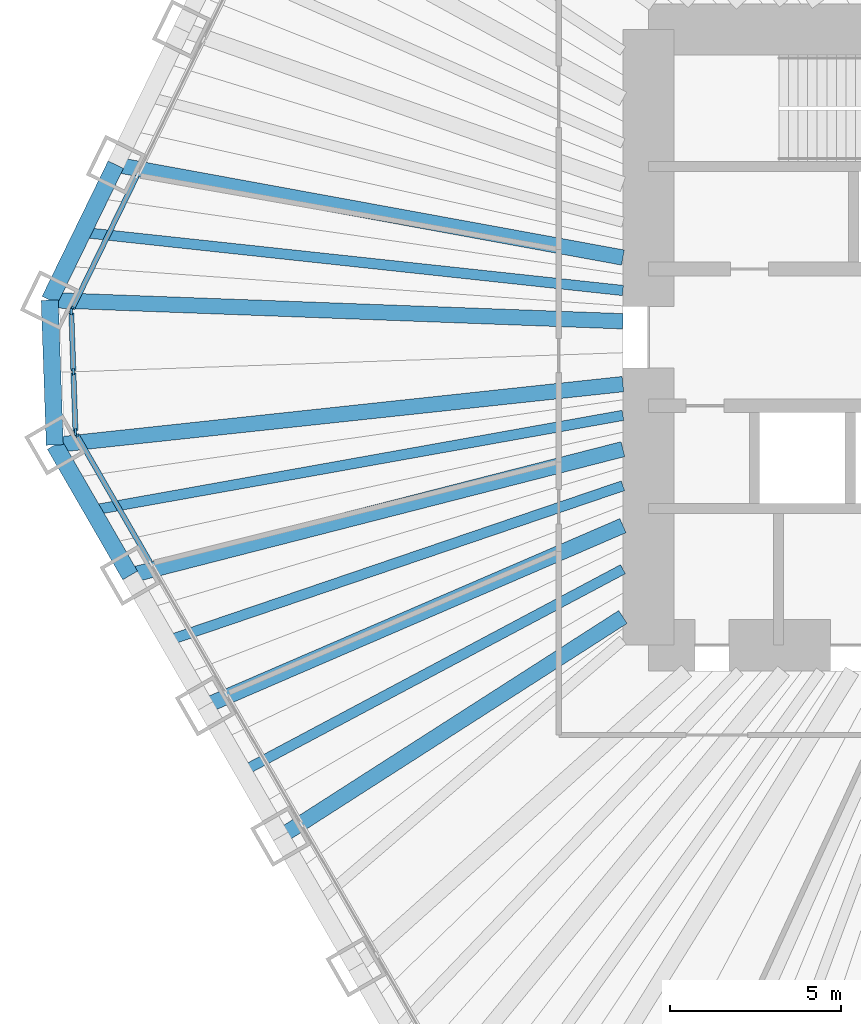
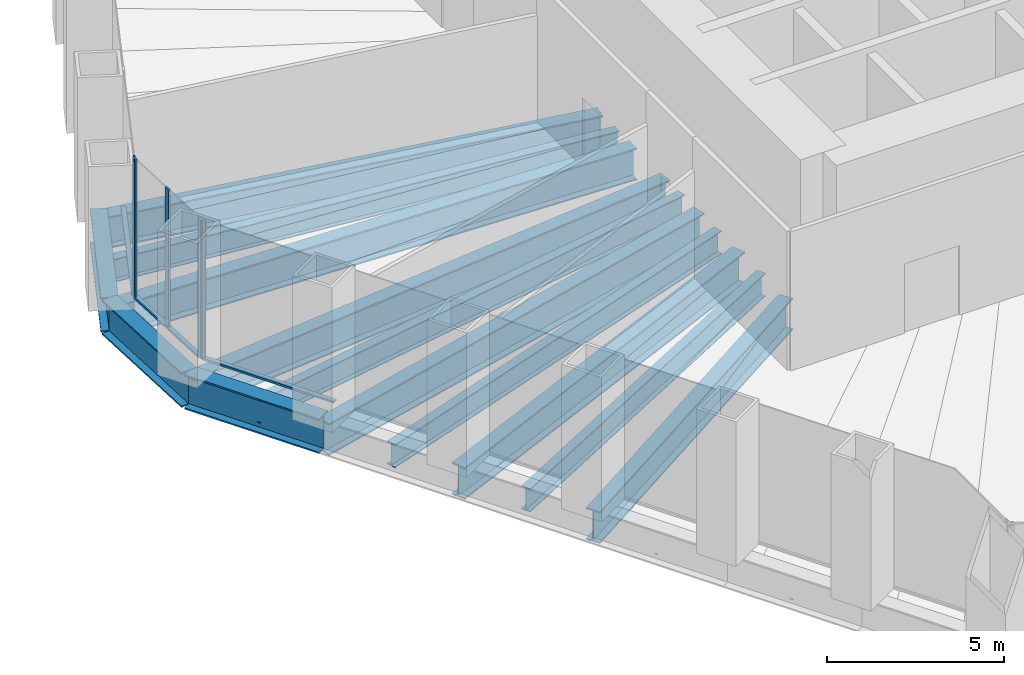
# One storey, part 3 of 13: 13 beams, 9 members, 3 elements without a shape of their own.
"""IFC4 building model written with IfcOpenShell, lengths in metres."""

import ifcopenshell
import ifcopenshell.guid

model = None  # the IFC model being written
_history = None  # IfcOwnerHistory: only IFC2X3 demands one
_inside = {}  # id of a spatial element -> (the spatial element, [elements in it])
_under = {}  # id of a project, library or spatial element -> (it, [spatial elements below it])
_declared = {}  # id of a project -> (the project, [libraries it declares])
_typed = {}  # id of a type object -> (the type object, [elements of that type])
_made_of = {}  # id of a material, layer set ... -> (it, [elements and type objects made of it])


def new_model(schema):
    """Start an empty IFC model of exactly this schema.

    Asked for "IFC4X3", IfcOpenShell would pick the latest addendum, in which some entities
    have other attributes; the version numbers below select the first issue.
    IFC2X3 requires an IfcOwnerHistory on every rooted entity: one is made here for all.
    """
    global model, _history
    if schema == "IFC4X3":
        model = ifcopenshell.file(schema_version=(4, 3, 0, 0))
    else:
        model = ifcopenshell.file(schema=schema)
    _inside.clear()
    _under.clear()
    _declared.clear()
    _typed.clear()
    _made_of.clear()
    _history = None
    if model.schema == "IFC2X3":
        org = make("IfcOrganization", Name="unknown")
        user = make(
            "IfcPersonAndOrganization",
            ThePerson=make("IfcPerson", FamilyName="unknown"),
            TheOrganization=org,
        )
        app = make(
            "IfcApplication",
            ApplicationDeveloper=org,
            Version="unknown",
            ApplicationFullName="unknown",
            ApplicationIdentifier="unknown",
        )
        _history = make(
            "IfcOwnerHistory",
            OwningUser=user,
            OwningApplication=app,
            ChangeAction="ADDED",
            CreationDate=0,
        )
    return model


def make(cls, **values):
    """One entity of the class cls with the attributes given. An attribute that is None is left unset."""
    return model.create_entity(
        cls, **{name: value for name, value in values.items() if value is not None}
    )


def rooted(cls, **values):
    """An entity with a GlobalId (a new one), such as an element, a storey or a relation."""
    return make(cls, GlobalId=ifcopenshell.guid.new(), OwnerHistory=_history, **values)


def si_unit(unit_type, name, prefix=None):
    """IfcSIUnit, for example si_unit("LENGTHUNIT", "METRE", prefix="MILLI")."""
    return make("IfcSIUnit", UnitType=unit_type, Prefix=prefix, Name=name)


def assignment(units):
    """IfcUnitAssignment: the units of a project."""
    return None if units is None else make("IfcUnitAssignment", Units=units)


def point(xyz):
    """IfcCartesianPoint."""
    return None if xyz is None else make("IfcCartesianPoint", Coordinates=xyz)


def direction(xyz):
    """IfcDirection."""
    return None if xyz is None else make("IfcDirection", DirectionRatios=xyz)


def frame(location, z_axis=None, x_axis=None):
    """IfcAxis2Placement3D, a coordinate frame: its origin and axes. An axis left out is left unset."""
    return make(
        "IfcAxis2Placement3D",
        Location=point(location),
        Axis=direction(z_axis),
        RefDirection=direction(x_axis),
    )


def frame_2d(location, x_axis=None):
    """IfcAxis2Placement2D, a coordinate frame in the plane: its origin and x axis."""
    return make(
        "IfcAxis2Placement2D", Location=point(location), RefDirection=direction(x_axis)
    )


def origin():
    """The frame at (0, 0, 0) with its axes left unset."""
    return frame((0.0, 0.0, 0.0))


def origin_2d():
    """The frame at (0, 0) in the plane with its x axis left unset."""
    return frame_2d((0.0, 0.0))


def place(relative_to, where):
    """IfcLocalPlacement: puts the frame where relative to a parent placement (None: the world)."""
    return make(
        "IfcLocalPlacement", PlacementRelTo=relative_to, RelativePlacement=where
    )


def context(
    kind, dimensions, precision=None, world=None, true_north=None, identifier=None
):
    """IfcGeometricRepresentationContext, for example the 3D "Model" context."""
    return make(
        "IfcGeometricRepresentationContext",
        ContextIdentifier=identifier,
        ContextType=kind,
        CoordinateSpaceDimension=dimensions,
        Precision=precision,
        WorldCoordinateSystem=world,
        TrueNorth=true_north,
    )


def subcontext(parent, identifier, kind, view, scale=None):
    """IfcGeometricRepresentationSubContext, for example "Body" below "Model"."""
    return make(
        "IfcGeometricRepresentationSubContext",
        ContextIdentifier=identifier,
        ContextType=kind,
        ParentContext=parent,
        TargetScale=scale,
        TargetView=view,
    )


def project(units=None, contexts=None):
    """IfcProject with its units and contexts."""
    return rooted(
        "IfcProject",
        Name="project",
        RepresentationContexts=contexts,
        UnitsInContext=assignment(units),
    )


def spatial(cls, under=None, at=None, **own):
    """A site, building, storey or space (cls), placed at a placement, below another one or the project."""
    s = rooted(cls, ObjectPlacement=at, **own)
    if under is not None:
        _under.setdefault(under.id(), (under, []))[1].append(s)
    return s


def profile(cls, at=None, kind="AREA", **sizes):
    """A parametric profile (cls). Its sizes go by their IFC names, for example OverallWidth=200.0."""
    return make(cls, ProfileType=kind, Position=at, **sizes)


def rectangle(**sizes):
    """IfcRectangleProfileDef."""
    return profile("IfcRectangleProfileDef", **sizes)


def i_section(**sizes):
    """IfcIShapeProfileDef."""
    return profile("IfcIShapeProfileDef", **sizes)


def extrude(swept, where, along, depth):
    """IfcExtrudedAreaSolid: the profile swept, set in the frame where, extruded along a direction by depth."""
    return make(
        "IfcExtrudedAreaSolid",
        SweptArea=swept,
        Position=where,
        ExtrudedDirection=direction(along),
        Depth=depth,
    )


def shape(context_of_items, identifier, shape_type, items):
    """IfcShapeRepresentation: the items that make up one representation, for example the "Body"."""
    return make(
        "IfcShapeRepresentation",
        ContextOfItems=context_of_items,
        RepresentationIdentifier=identifier,
        RepresentationType=shape_type,
        Items=items,
    )


def material(Name=None, Category=None):
    """IfcMaterial."""
    return make("IfcMaterial", Name=Name, Category=Category)


def material_profile(
    of_material, cross_section, Name=None, Category=None, Priority=None
):
    """IfcMaterialProfile: a cross section and its material."""
    return make(
        "IfcMaterialProfile",
        Name=Name,
        Material=of_material,
        Profile=cross_section,
        Priority=Priority,
        Category=Category,
    )


def profile_set(profiles, Name=None, composite=None):
    """IfcMaterialProfileSet."""
    return make(
        "IfcMaterialProfileSet",
        Name=Name,
        MaterialProfiles=profiles,
        CompositeProfile=composite,
    )


def made_of(thing, what):
    """Note that an element or type object is made of a material, layer set ...; save() writes the relation."""
    if what is not None:
        _made_of.setdefault(what.id(), (what, []))[1].append(thing)
    return thing


def type_object(cls, material=None, **own):
    """A type object (cls), such as IfcWallType, which elements share."""
    return made_of(rooted(cls, **own), material)


def element(
    cls,
    number,
    at=None,
    inside=None,
    cuts=None,
    type_object=None,
    material=None,
    context=None,
    identifier="Body",
    shape_type=None,
    held_by="IfcProductDefinitionShape",
    body=None,
    shapes=None,
    **own,
):
    """One element of the class cls, such as IfcWall. Its Tag is "e" and its number.

    at: its placement. inside: the storey or other place that contains it. cuts: it is an
    opening in that element (IfcRelVoidsElement). A single representation is given by context,
    identifier, shape_type and body (its items); several are given by shapes. held_by: the class
    of the entity that holds the representations. save() writes the other relations.
    """
    e = rooted(cls, Tag="e%d" % number, ObjectPlacement=at, **own)
    if body is not None:
        shapes = [shape(context, identifier, shape_type, body)]
    if shapes is not None:
        e.Representation = make(held_by, Representations=shapes)
    if inside is not None:
        _inside.setdefault(inside.id(), (inside, []))[1].append(e)
    if cuts is not None:
        rooted(
            "IfcRelVoidsElement", RelatingBuildingElement=cuts, RelatedOpeningElement=e
        )
    if type_object is not None:
        _typed.setdefault(type_object.id(), (type_object, []))[1].append(e)
    return made_of(e, material)


def aggregate(whole, parts):
    """IfcRelAggregates: a whole, such as a stair, and the parts it consists of."""
    return rooted("IfcRelAggregates", RelatingObject=whole, RelatedObjects=parts)


def save(model, path):
    """Write the relations noted so far, then the file.

    IfcRelAggregates (storeys below a building ...), IfcRelContainedInSpatialStructure (elements
    in a storey), IfcRelDefinesByType, IfcRelAssociatesMaterial and IfcRelDeclares: one each for
    every whole, place, type object, material and project.
    """
    for whole, parts in _under.values():
        aggregate(whole, parts)
    for where, things in _inside.values():
        rooted(
            "IfcRelContainedInSpatialStructure",
            RelatedElements=things,
            RelatingStructure=where,
        )
    for kind, things in _typed.values():
        rooted("IfcRelDefinesByType", RelatedObjects=things, RelatingType=kind)
    for what, things in _made_of.values():
        rooted("IfcRelAssociatesMaterial", RelatedObjects=things, RelatingMaterial=what)
    for by, libraries in _declared.values():
        rooted("IfcRelDeclares", RelatingContext=by, RelatedDefinitions=libraries)
    model.write(path)


model = new_model("IFC4")

# Units and contexts
model_context = context("Model", 3, precision=1e-05, world=origin(), true_north=direction((0.0, 1.0)))
body_context = subcontext(model_context, "Body", "Model", "MODEL_VIEW")
ifc_project = project(units=[si_unit("LENGTHUNIT", "METRE"), si_unit("AREAUNIT", "SQUARE_METRE"), si_unit("VOLUMEUNIT", "CUBIC_METRE"), si_unit("PLANEANGLEUNIT", "RADIAN"), si_unit("MASSUNIT", "GRAM", prefix="KILO")], contexts=[model_context])

# Site, building, storey
site_placement = place(None, origin())
site = spatial("IfcSite", under=ifc_project, at=site_placement, CompositionType="ELEMENT")
building_placement = place(site_placement, origin())
building = spatial("IfcBuilding", under=site, at=building_placement, Name="Qingtian Harvest Tower", CompositionType="ELEMENT")
storey_placement = place(building_placement, frame((0.0, 0.0, 37.0)))
storey = spatial("IfcBuildingStorey", under=building, at=storey_placement, Name="L07", CompositionType="ELEMENT", Elevation=37.0)

# Beams
ifc_material_1 = material(Name="Steel SM570MC", Category="steel")
ifc_material_profile_1 = material_profile(ifc_material_1, i_section(OverallWidth=0.449951171875, OverallDepth=1.10009765625, WebThickness=0.02197265625, FlangeThickness=0.044921875, at=origin_2d()), Name="H1100x450x22x45")
ifc_profile_set_1 = profile_set([ifc_material_profile_1], Name="Steel SM570MC")
beam_type_1 = type_object("IfcBeamType", Name="Corner floor beam FB8 H1100x450x22x45", PredefinedType="BEAM", material=ifc_profile_set_1)
beam_1_placement = place(storey_placement, frame((-29.36083984375, -3.145751953125, -0.75), z_axis=(0.994308822197, 0.106536219669, 0.0), x_axis=(-0.106536219669, 0.994308822197, 0.0)))
element("IfcBeam", 1, at=beam_1_placement, inside=storey, type_object=beam_type_1, Name="Floor beam FB8 SW6", PredefinedType="BEAM", context=body_context, shape_type="SweptSolid", body=[
    extrude(i_section(OverallWidth=0.449951171875, OverallDepth=1.10009765625, WebThickness=0.02197265625, FlangeThickness=0.044921875, at=origin_2d()), origin(), (0.0, 0.0, 1.0), 16.705810546875),
])
beam_2_placement = place(storey_placement, frame((-29.5087890625, 1.08984375, -0.75), z_axis=(0.999318796571, -0.036904509488, 0.0), x_axis=(0.036904509488, 0.999318796571, 0.0)))
element("IfcBeam", 2, at=beam_2_placement, inside=storey, type_object=beam_type_1, Name="Floor beam FB8 NW0", PredefinedType="BEAM", context=body_context, shape_type="SweptSolid", body=[
    extrude(i_section(OverallWidth=0.449951171875, OverallDepth=1.10009765625, WebThickness=0.02197265625, FlangeThickness=0.044921875, at=origin_2d()), origin(), (0.0, 0.0, 1.0), 16.770263671875),
])
ifc_material_2 = material(Name="Steel SM570MC", Category="steel")
ifc_material_profile_2 = material_profile(ifc_material_2, i_section(OverallWidth=0.449951171875, OverallDepth=1.10009765625, WebThickness=0.02197265625, FlangeThickness=0.044921875, at=origin_2d()), Name="H1100x450x22x45")
ifc_profile_set_2 = profile_set([ifc_material_profile_2], Name="Steel SM570MC")
beam_type_2 = type_object("IfcBeamType", Name="Floor beam FB1 H1100x450x22x45", PredefinedType="BEAM", material=ifc_profile_set_2)
beam_3_placement = place(storey_placement, frame((-22.75390625, -14.589111328125, -0.75), z_axis=(0.841829353865, 0.539743771591, 0.0), x_axis=(-0.539743771591, 0.841829353865, 0.0)))
element("IfcBeam", 3, at=beam_3_placement, inside=storey, type_object=beam_type_2, Name="Floor beam FB1 SW3", PredefinedType="BEAM", context=body_context, shape_type="SweptSolid", body=[
    extrude(i_section(OverallWidth=0.449951171875, OverallDepth=1.10009765625, WebThickness=0.02197265625, FlangeThickness=0.044921875, at=origin_2d()), origin(), (0.0, 0.0, 1.0), 11.883544921875),
])
beam_4_placement = place(storey_placement, frame((-24.9560546875, -10.774658203125, -0.75), z_axis=(0.918083617325, 0.396386770213, 0.0), x_axis=(-0.396386770213, 0.918083617325, 0.0)))
element("IfcBeam", 4, at=beam_4_placement, inside=storey, type_object=beam_type_2, Name="Floor beam FB1 SW4", PredefinedType="BEAM", context=body_context, shape_type="SweptSolid", body=[
    extrude(i_section(OverallWidth=0.449951171875, OverallDepth=1.10009765625, WebThickness=0.02197265625, FlangeThickness=0.044921875, at=origin_2d()), origin(), (0.0, 0.0, 1.0), 13.295166015625),
])
beam_5_placement = place(storey_placement, frame((-27.158447265625, -6.960205078125, -0.75), z_axis=(0.968693729942, 0.248258851947, 0.0), x_axis=(-0.248258851947, 0.968693729942, 0.0)))
element("IfcBeam", 5, at=beam_5_placement, inside=storey, type_object=beam_type_2, Name="Floor beam FB1 SW5", PredefinedType="BEAM", context=body_context, shape_type="SweptSolid", body=[
    extrude(i_section(OverallWidth=0.449951171875, OverallDepth=1.10009765625, WebThickness=0.02197265625, FlangeThickness=0.044921875, at=origin_2d()), origin(), (0.0, 0.0, 1.0), 14.8740234375),
])
beam_6_placement = place(storey_placement, frame((-27.577880859375, 5.048828125, -0.75), z_axis=(0.98365177106, -0.180081074215, 0.0), x_axis=(0.180081074215, 0.98365177106, 0.0)))
element("IfcBeam", 6, at=beam_6_placement, inside=storey, type_object=beam_type_2, Name="Floor beam FB1 NW1", PredefinedType="BEAM", context=body_context, shape_type="SweptSolid", body=[
    extrude(i_section(OverallWidth=0.449951171875, OverallDepth=1.10009765625, WebThickness=0.02197265625, FlangeThickness=0.044921875, at=origin_2d()), origin(), (0.0, 0.0, 1.0), 15.07421875),
])
ifc_material_3 = material(Name="Steel SN490B", Category="steel")
ifc_material_profile_3 = material_profile(ifc_material_3, i_section(OverallWidth=0.300048828125, OverallDepth=0.800048828125, WebThickness=0.013916015625, FlangeThickness=0.02587890625, at=origin_2d()), Name="H800x300x14x26")
ifc_profile_set_3 = profile_set([ifc_material_profile_3], Name="Steel SN490B")
beam_type_3 = type_object("IfcBeamType", Name="Floor joist J1 H800x300x14x26", PredefinedType="JOIST", material=ifc_profile_set_3)
beam_7_placement = place(storey_placement, frame((-23.85498046875, -12.681884765625, -0.60009765625), z_axis=(0.882982474604, 0.469405953885, 0.0), x_axis=(-0.469405953885, 0.882982474604, 0.0)))
element("IfcBeam", 7, at=beam_7_placement, inside=storey, type_object=beam_type_3, Name="Floor joist J1 SW3", PredefinedType="JOIST", context=body_context, shape_type="SweptSolid", body=[
    extrude(i_section(OverallWidth=0.300048828125, OverallDepth=0.800048828125, WebThickness=0.013916015625, FlangeThickness=0.02587890625, at=origin_2d()), origin(), (0.0, 0.0, 1.0), 12.57666015625),
])
beam_8_placement = place(storey_placement, frame((-26.057373046875, -8.867431640625, -0.60009765625), z_axis=(0.946684735425, 0.322161468387, 0.0), x_axis=(-0.322161468387, 0.946684735425, 0.0)))
element("IfcBeam", 8, at=beam_8_placement, inside=storey, type_object=beam_type_3, Name="Floor joist J1 SW4", PredefinedType="JOIST", context=body_context, shape_type="SweptSolid", body=[
    extrude(i_section(OverallWidth=0.300048828125, OverallDepth=0.800048828125, WebThickness=0.013916015625, FlangeThickness=0.02587890625, at=origin_2d()), origin(), (0.0, 0.0, 1.0), 14.056884765625),
])
beam_9_placement = place(storey_placement, frame((-28.259521484375, -5.052978515625, -0.60009765625), z_axis=(0.984387614034, 0.176014275943, 0.0), x_axis=(-0.176014275943, 0.984387614034, 0.0)))
element("IfcBeam", 9, at=beam_9_placement, inside=storey, type_object=beam_type_3, Name="Floor joist J1 SW5", PredefinedType="JOIST", context=body_context, shape_type="SweptSolid", body=[
    extrude(i_section(OverallWidth=0.300048828125, OverallDepth=0.800048828125, WebThickness=0.013916015625, FlangeThickness=0.02587890625, at=origin_2d()), origin(), (0.0, 0.0, 1.0), 15.755615234375),
])
beam_10_placement = place(storey_placement, frame((-28.543212890625, 3.0693359375, -0.60009765625), z_axis=(0.994268320665, -0.106913546948, 0.0), x_axis=(0.106913546948, 0.994268320665, 0.0)))
element("IfcBeam", 10, at=beam_10_placement, inside=storey, type_object=beam_type_3, Name="Floor joist J1 NW0", PredefinedType="JOIST", context=body_context, shape_type="SweptSolid", body=[
    extrude(i_section(OverallWidth=0.300048828125, OverallDepth=0.800048828125, WebThickness=0.013916015625, FlangeThickness=0.02587890625, at=origin_2d()), origin(), (0.0, 0.0, 1.0), 15.88427734375),
])

# Curtain wall, member
ifc_material_4 = material(Name="Bronze-anodised aluminium curtain wall", Category="aluminium")
curtain_wall_type = type_object("IfcCurtainWallType", Name="Curtain wall CW2 farm reception", PredefinedType="USERDEFINED", material=ifc_material_4)
curtain_wall_1_placement = place(storey_placement, origin())
curtain_wall_1 = element("IfcCurtainWall", 11, at=curtain_wall_1_placement, inside=storey, type_object=curtain_wall_type, Name="Curtain wall CW2 L07 SW0-5", ObjectType="RECESSED CURTAIN WALL", PredefinedType="USERDEFINED")
ifc_material_5 = material(Name="Bronze-anodised aluminium mullion", Category="aluminium")
ifc_material_profile_4 = material_profile(ifc_material_5, rectangle(XDim=0.06494140625, YDim=0.199951171875, at=origin_2d()), Name="AL 65x200")
ifc_profile_set_4 = profile_set([ifc_material_profile_4], Name="Bronze-anodised aluminium mullion")
member_type_1 = type_object("IfcMemberType", Name="Mullion CWM 65x200", PredefinedType="MULLION", material=ifc_profile_set_4)
member_1_placement = place(storey_placement, frame((-28.73828125, -2.82373046875, 0.0), z_axis=(0.0, 0.0, 1.0), x_axis=(-0.866025403784, -0.5, 0.0)))
member_1 = element("IfcMember", 12, at=member_1_placement, type_object=member_type_1, Name="CW2 mullion 7", PredefinedType="MULLION", context=body_context, shape_type="SweptSolid", body=[
    extrude(rectangle(XDim=0.06494140625, YDim=0.199951171875, at=origin_2d()), origin(), (0.0, 0.0, 1.0), 4.800048828125),
])

# Curtain wall, members
curtain_wall_2_placement = place(storey_placement, origin())
curtain_wall_2 = element("IfcCurtainWall", 13, at=curtain_wall_2_placement, inside=storey, type_object=curtain_wall_type, Name="Curtain wall CW2 L07 SWC", ObjectType="RECESSED CURTAIN WALL", PredefinedType="USERDEFINED")
member_2_placement = place(storey_placement, frame((-28.755615234375, -2.76318359375, 0.0), z_axis=(0.0, 0.0, 1.0), x_axis=(-0.999390827019, -0.034899496703, 0.0)))
member_2 = element("IfcMember", 14, at=member_2_placement, type_object=member_type_1, Name="CW2 mullion 1", PredefinedType="MULLION", context=body_context, shape_type="SweptSolid", body=[
    extrude(rectangle(XDim=0.06494140625, YDim=0.199951171875, at=origin_2d()), origin(), (0.0, 0.0, 1.0), 4.800048828125),
])
member_3_placement = place(storey_placement, frame((-28.817138671875, -1.00634765625, 0.0), z_axis=(0.0, 0.0, 1.0), x_axis=(-0.999390827019, -0.034899496703, 0.0)))
member_3 = element("IfcMember", 15, at=member_3_placement, type_object=member_type_1, Name="CW2 mullion 2", PredefinedType="MULLION", context=body_context, shape_type="SweptSolid", body=[
    extrude(rectangle(XDim=0.06494140625, YDim=0.199951171875, at=origin_2d()), origin(), (0.0, 0.0, 1.0), 4.800048828125),
])
member_4_placement = place(storey_placement, frame((-28.87841796875, 0.75048828125, 0.0), z_axis=(0.0, 0.0, 1.0), x_axis=(-0.999390827019, -0.034899496703, 0.0)))
member_4 = element("IfcMember", 16, at=member_4_placement, type_object=member_type_1, Name="CW2 mullion 3", PredefinedType="MULLION", context=body_context, shape_type="SweptSolid", body=[
    extrude(rectangle(XDim=0.06494140625, YDim=0.199951171875, at=origin_2d()), origin(), (0.0, 0.0, 1.0), 4.800048828125),
])

# Curtain wall, member
curtain_wall_3_placement = place(storey_placement, origin())
curtain_wall_3 = element("IfcCurtainWall", 17, at=curtain_wall_3_placement, inside=storey, type_object=curtain_wall_type, Name="Curtain wall CW2 L07 NW0-5", ObjectType="RECESSED CURTAIN WALL", PredefinedType="USERDEFINED")
member_5_placement = place(storey_placement, frame((-28.865234375, 0.812255859375, 0.0), z_axis=(0.0, 0.0, 1.0), x_axis=(-0.898794046299, 0.438371146789, 0.0)))
member_5 = element("IfcMember", 18, at=member_5_placement, type_object=member_type_1, Name="CW2 mullion 1", PredefinedType="MULLION", context=body_context, shape_type="SweptSolid", body=[
    extrude(rectangle(XDim=0.06494140625, YDim=0.199951171875, at=origin_2d()), origin(), (0.0, 0.0, 1.0), 4.800048828125),
])

# Beams
ifc_material_6 = material(Name="Steel SM570MC", Category="steel")
ifc_material_profile_5 = material_profile(ifc_material_6, i_section(OverallWidth=0.5, OverallDepth=1.199951171875, WebThickness=0.02490234375, FlangeThickness=0.050048828125, at=origin_2d()), Name="H1200x500x25x50")
ifc_profile_set_5 = profile_set([ifc_material_profile_5], Name="Steel SM570MC")
beam_type_4 = type_object("IfcBeamType", Name="Spandrel beam SB1 H1200x500x25x50", PredefinedType="SPANDREL", material=ifc_profile_set_5)
beam_11_placement = place(storey_placement, frame((-27.158447265625, -6.960205078125, -0.60009765625), z_axis=(-0.50001992892, 0.866013897511, 0.0), x_axis=(-0.866013897511, -0.50001992892, 0.0)))
element("IfcBeam", 19, at=beam_11_placement, inside=storey, type_object=beam_type_4, Name="Spandrel SB1 SW5", PredefinedType="SPANDREL", context=body_context, shape_type="SweptSolid", body=[
    extrude(i_section(OverallWidth=0.5, OverallDepth=1.199951171875, WebThickness=0.02490234375, FlangeThickness=0.050048828125, at=origin_2d()), origin(), (0.0, 0.0, 1.0), 4.404541015625),
])
beam_12_placement = place(storey_placement, frame((-29.36083984375, -3.145751953125, -0.60009765625), z_axis=(-0.034908677553, 0.999390506375, 0.0), x_axis=(-0.999390506375, -0.034908677553, 0.0)))
element("IfcBeam", 20, at=beam_12_placement, inside=storey, type_object=beam_type_4, Name="Spandrel SB1 SWC", PredefinedType="SPANDREL", context=body_context, shape_type="SweptSolid", body=[
    extrude(i_section(OverallWidth=0.5, OverallDepth=1.199951171875, WebThickness=0.02490234375, FlangeThickness=0.050048828125, at=origin_2d()), origin(), (0.0, 0.0, 1.0), 4.23828125),
])
beam_13_placement = place(storey_placement, frame((-29.5087890625, 1.08984375, -0.60009765625), z_axis=(0.438367938366, 0.898795611145, 0.0), x_axis=(-0.898795611145, 0.438367938366, 0.0)))
element("IfcBeam", 21, at=beam_13_placement, inside=storey, type_object=beam_type_4, Name="Spandrel SB1 NW0", PredefinedType="SPANDREL", context=body_context, shape_type="SweptSolid", body=[
    extrude(i_section(OverallWidth=0.5, OverallDepth=1.199951171875, WebThickness=0.02490234375, FlangeThickness=0.050048828125, at=origin_2d()), origin(), (0.0, 0.0, 1.0), 4.40478515625),
])

# Member
ifc_material_7 = material(Name="Bronze-anodised aluminium transom", Category="aluminium")
ifc_material_profile_6 = material_profile(ifc_material_7, rectangle(XDim=0.14990234375, YDim=0.06494140625, at=origin_2d()), Name="AL 65x150")
ifc_profile_set_6 = profile_set([ifc_material_profile_6], Name="Bronze-anodised aluminium transom")
member_type_2 = type_object("IfcMemberType", Name="Transom CWT 65x150", PredefinedType="USERDEFINED", material=ifc_profile_set_6)
member_6_placement = place(storey_placement, frame((-26.568603515625, -6.58203125, 0.032470703125), z_axis=(-0.499967798808, 0.866043994353, 0.0), x_axis=(-0.866043994353, -0.499967798808, 0.0)))
member_6 = element("IfcMember", 22, at=member_6_placement, type_object=member_type_2, Name="CW2 transom 6.1", ObjectType="TRANSOM", PredefinedType="USERDEFINED", context=body_context, shape_type="SweptSolid", body=[
    extrude(rectangle(XDim=0.14990234375, YDim=0.06494140625, at=origin_2d()), origin(), (0.0, 0.0, 1.0), 4.306884765625),
])

aggregate(curtain_wall_1, [member_1, member_6])

member_7_placement = place(storey_placement, frame((-28.7568359375, -2.730712890625, 0.032470703125), z_axis=(-0.034899362377, 0.99939083171, 0.0), x_axis=(-0.99939083171, -0.034899362377, 0.0)))
member_7 = element("IfcMember", 23, at=member_7_placement, type_object=member_type_2, Name="CW2 transom 1.1", ObjectType="TRANSOM", PredefinedType="USERDEFINED", context=body_context, shape_type="SweptSolid", body=[
    extrude(rectangle(XDim=0.14990234375, YDim=0.06494140625, at=origin_2d()), origin(), (0.0, 0.0, 1.0), 1.69287109375),
])

member_8_placement = place(storey_placement, frame((-28.818115234375, -0.973876953125, 0.032470703125), z_axis=(-0.034899362377, 0.99939083171, 0.0), x_axis=(-0.99939083171, -0.034899362377, 0.0)))
member_8 = element("IfcMember", 24, at=member_8_placement, type_object=member_type_2, Name="CW2 transom 2.1", ObjectType="TRANSOM", PredefinedType="USERDEFINED", context=body_context, shape_type="SweptSolid", body=[
    extrude(rectangle(XDim=0.14990234375, YDim=0.06494140625, at=origin_2d()), origin(), (0.0, 0.0, 1.0), 1.69287109375),
])

aggregate(curtain_wall_2, [member_2, member_3, member_4, member_7, member_8])

member_9_placement = place(storey_placement, frame((-28.85107421875, 0.841552734375, 0.032470703125), z_axis=(0.438394595167, 0.898782609383, 0.0), x_axis=(-0.898782609383, 0.438394595167, 0.0)))
member_9 = element("IfcMember", 25, at=member_9_placement, type_object=member_type_2, Name="CW2 transom 1.1", ObjectType="TRANSOM", PredefinedType="USERDEFINED", context=body_context, shape_type="SweptSolid", body=[
    extrude(rectangle(XDim=0.14990234375, YDim=0.06494140625, at=origin_2d()), origin(), (0.0, 0.0, 1.0), 4.30712890625),
])

aggregate(curtain_wall_3, [member_5, member_9])

save(model, "model.ifc")
